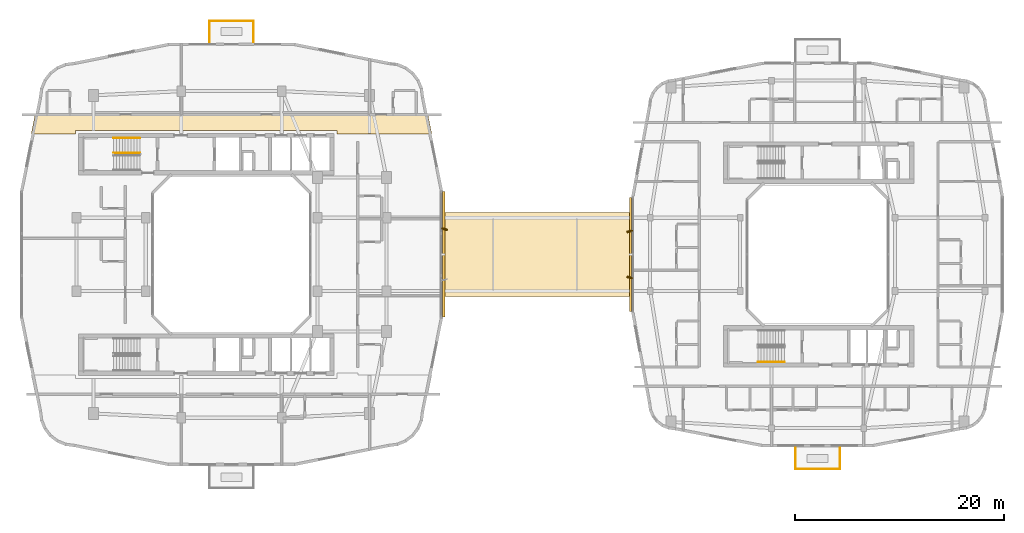
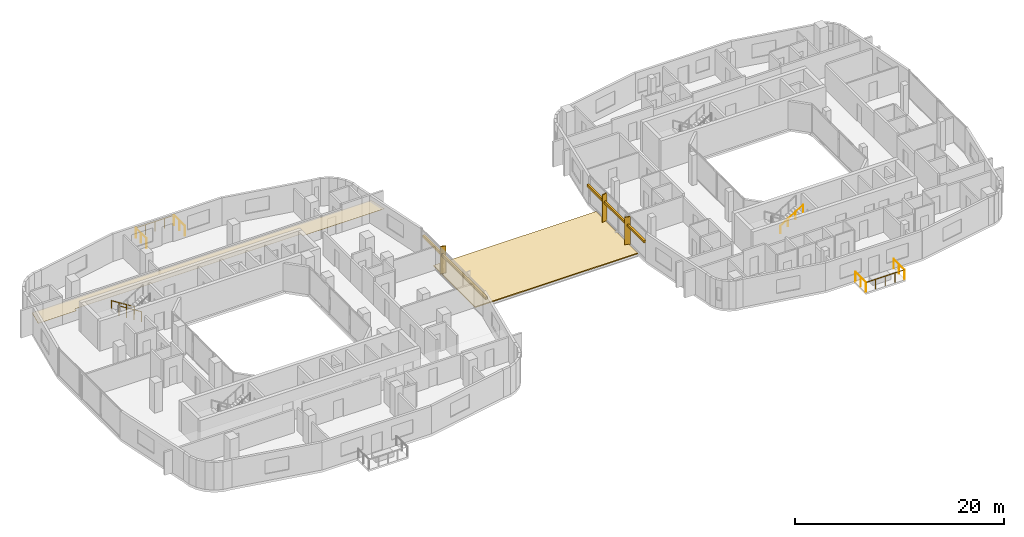
# One storey, part 21 of 22: 9 railings, 5 shading devices, 2 coverings.
"""IFC4 building model written with IfcOpenShell, lengths in metres."""

from ifc_helpers import new_model, si_unit, derived_unit, direction, frame, origin, origin_2d, place, context, subcontext, project, spatial, polyline, rectangle, circle, outline, extrude, material, layer, layer_set, type_object, element, save


model = new_model("IFC4")

# Units and contexts
model_context = context("Model", 3, precision=1e-05, world=origin(), true_north=direction((0.0, 1.0)))
body_context = subcontext(model_context, "Body", "Model", "MODEL_VIEW")
ifc_project = project(units=[si_unit("LENGTHUNIT", "METRE"), si_unit("AREAUNIT", "SQUARE_METRE"), si_unit("VOLUMEUNIT", "CUBIC_METRE"), si_unit("PLANEANGLEUNIT", "RADIAN"), si_unit("MASSUNIT", "GRAM", prefix="KILO"), derived_unit("THERMALTRANSMITTANCEUNIT", [(si_unit("POWERUNIT", "WATT"), 1), (si_unit("LENGTHUNIT", "METRE"), -2), (si_unit("THERMODYNAMICTEMPERATUREUNIT", "KELVIN"), -1)])], contexts=[model_context])

# Site, building, storey
site_placement = place(None, origin())
site = spatial("IfcSite", under=ifc_project, at=site_placement, CompositionType="ELEMENT")
building_placement = place(site_placement, origin())
building = spatial("IfcBuilding", under=site, at=building_placement, Name="Kivonza Crest Hotel", CompositionType="ELEMENT")
storey_placement = place(building_placement, frame((0.0, 0.0, 124.0)))
storey = spatial("IfcBuildingStorey", under=building, at=storey_placement, Name="L33", CompositionType="ELEMENT", Elevation=124.0)

# Coverings
ifc_material_1 = material(Name="Mineral-fibre acoustic ceiling tile", Category="gypsum")
ifc_layer_1 = layer(ifc_material_1, 0.02490234375)
ifc_layer_set_1 = layer_set([ifc_layer_1], Name="Mineral-fibre acoustic ceiling tile")
covering_type_1 = type_object("IfcCoveringType", Name="CV-CEIL-ACOU", PredefinedType="CEILING", material=ifc_layer_set_1)
covering_1_placement = place(storey_placement, frame((0.0, 0.0, 2.449951171875)))
element("IfcCovering", 1, at=covering_1_placement, inside=storey, type_object=covering_type_1, Name="L33 Hotel North Guest Corridor suspended ceiling", PredefinedType="CEILING", context=body_context, shape_type="SweptSolid", body=[
    extrude(outline(polyline([(2.235107421875, 38.389892578125), (1.85791015625, 36.52001953125), (6.10009765625, 36.52001953125), (6.10009765625, 36.860107421875), (31.10009765625, 36.860107421875), (31.10009765625, 36.52001953125), (40.14208984375, 36.52001953125), (39.764892578125, 38.389892578125), (2.235107421875, 38.389892578125)])), origin(), (0.0, 0.0, 1.0), 0.025146484375),
])
ifc_material_2 = material(Name="TPO waterproofing membrane over rigid mineral insulation", Category="insulation")
ifc_layer_2 = layer(ifc_material_2, 0.1201171875)
ifc_layer_set_2 = layer_set([ifc_layer_2], Name="TPO waterproofing membrane over rigid mineral insulation")
covering_type_2 = type_object("IfcCoveringType", Name="CV-ROOF-160", PredefinedType="ROOFING", material=ifc_layer_set_2)
covering_2_placement = place(storey_placement, frame((0.0, 0.0, -0.070068359375)))
element("IfcCovering", 2, at=covering_2_placement, inside=storey, type_object=covering_type_2, Name="Skybridge BR1 waterproofing membrane", PredefinedType="ROOFING", context=body_context, shape_type="SweptSolid", body=[
    extrude(outline(polyline([(41.199951171875, 21.0), (59.179931640625, 21.0), (59.179931640625, 29.0), (41.199951171875, 29.0), (41.199951171875, 21.0)])), origin(), (0.0, 0.0, 1.0), 0.1201171875),
])

# Railings
ifc_material_3 = material(Name="Brushed stainless steel handrail", Category="steel")
railing_type_1 = type_object("IfcRailingType", Name="RL-HAND-900", PredefinedType="HANDRAIL", material=ifc_material_3)
railing_1_placement = place(storey_placement, frame((12.239990234375, 36.110107421875, 0.175048828125)))
element("IfcRailing", 3, at=railing_1_placement, inside=storey, type_object=railing_type_1, Name="L33 ST-T1-N stair handrail 1", PredefinedType="HANDRAIL", context=body_context, shape_type="SweptSolid", body=[
    extrude(circle(Radius=0.02392578125, at=origin_2d()), frame((0.0, 0.0, 0.8759765625), z_axis=(-0.848007534815, 0.0, 0.529984170421), x_axis=(0.0, -1.0, 0.0)), (0.0, 0.0, 1.0), 2.9716796875),
    extrude(circle(Radius=0.02099609375, at=origin_2d()), origin(), (0.0, 0.0, 1.0), 0.851806640625),
    extrude(circle(Radius=0.02099609375, at=origin_2d()), frame((-0.840087890625, 0.0, 0.52490234375)), (0.0, 0.0, 1.0), 0.851806640625),
    extrude(circle(Radius=0.02099609375, at=origin_2d()), frame((-1.679931640625, 0.0, 1.050048828125)), (0.0, 0.0, 1.0), 0.851806640625),
    extrude(circle(Radius=0.02099609375, at=origin_2d()), frame((-2.52001953125, 0.0, 1.574951171875)), (0.0, 0.0, 1.0), 0.851806640625),
])
railing_2_placement = place(storey_placement, frame((71.320068359375, 14.7099609375, 1.925048828125)))
element("IfcRailing", 4, at=railing_2_placement, inside=storey, type_object=railing_type_1, Name="L33 ST-T2-S stair handrail 2", PredefinedType="HANDRAIL", context=body_context, shape_type="SweptSolid", body=[
    extrude(circle(Radius=0.02392578125, at=origin_2d()), frame((0.0, 0.0, 0.8759765625), z_axis=(0.848007534815, 0.0, 0.529984170421), x_axis=(0.0, 1.0, 0.0)), (0.0, 0.0, 1.0), 2.9716796875),
    extrude(circle(Radius=0.02099609375, at=origin_2d()), origin(), (0.0, 0.0, 1.0), 0.851806640625),
    extrude(circle(Radius=0.02099609375, at=origin_2d()), frame((0.840087890625, 0.0, 0.52490234375)), (0.0, 0.0, 1.0), 0.851806640625),
    extrude(circle(Radius=0.02099609375, at=origin_2d()), frame((1.679931640625, 0.0, 1.050048828125)), (0.0, 0.0, 1.0), 0.851806640625),
    extrude(circle(Radius=0.02099609375, at=origin_2d()), frame((2.52001953125, 0.0, 1.574951171875)), (0.0, 0.0, 1.0), 0.851806640625),
])
ifc_material_4 = material(Name="Painted steel balustrade", Category="steel")
railing_type_2 = type_object("IfcRailingType", Name="RL-STAIR-1150", PredefinedType="BALUSTRADE", material=ifc_material_4)
railing_3_placement = place(storey_placement, frame((12.239990234375, 34.7099609375, 0.175048828125)))
element("IfcRailing", 5, at=railing_3_placement, inside=storey, type_object=railing_type_2, Name="L33 ST-T1-N stair guard 1", PredefinedType="BALUSTRADE", context=body_context, shape_type="SweptSolid", body=[
    extrude(circle(Radius=0.02392578125, at=origin_2d()), frame((0.0, 0.0, 1.1259765625), z_axis=(-0.848007534815, 0.0, 0.529984170421), x_axis=(0.0, -1.0, 0.0)), (0.0, 0.0, 1.0), 2.9716796875),
    extrude(circle(Radius=0.02099609375, at=origin_2d()), origin(), (0.0, 0.0, 1.0), 1.101806640625),
    extrude(circle(Radius=0.02099609375, at=origin_2d()), frame((-0.840087890625, 0.0, 0.52490234375)), (0.0, 0.0, 1.0), 1.101806640625),
    extrude(circle(Radius=0.02099609375, at=origin_2d()), frame((-1.679931640625, 0.0, 1.050048828125)), (0.0, 0.0, 1.0), 1.101806640625),
    extrude(circle(Radius=0.02099609375, at=origin_2d()), frame((-2.52001953125, 0.0, 1.574951171875)), (0.0, 0.0, 1.0), 1.101806640625),
])
ifc_material_5 = material(Name="Laminated glass and stainless steel balustrade", Category="steel")
railing_type_3 = type_object("IfcRailingType", Name="RL-TERR-1150", PredefinedType="BALUSTRADE", material=ifc_material_5)
railing_4_placement = place(storey_placement, frame((18.8798828125, 45.280029296875, 0.0)))
element("IfcRailing", 6, at=railing_4_placement, inside=storey, type_object=railing_type_3, Name="L33 T1-L33-SG-NE perimeter safety balustrade 1", PredefinedType="BALUSTRADE", context=body_context, shape_type="SweptSolid", body=[
    extrude(circle(Radius=0.02392578125, at=origin_2d()), frame((0.0, 0.0, 1.1259765625), z_axis=(0.0, 1.0, 0.0), x_axis=(-1.0, 0.0, 0.0)), (0.0, 0.0, 1.0), 2.0400390625),
    extrude(circle(Radius=0.02099609375, at=origin_2d()), origin(), (0.0, 0.0, 1.0), 1.101806640625),
    extrude(circle(Radius=0.02099609375, at=origin_2d()), frame((0.0, 1.02001953125, 0.0)), (0.0, 0.0, 1.0), 1.101806640625),
    extrude(circle(Radius=0.02099609375, at=origin_2d()), frame((0.0, 2.0400390625, 0.0)), (0.0, 0.0, 1.0), 1.101806640625),
])
railing_5_placement = place(storey_placement, frame((18.8798828125, 47.320068359375, 0.0)))
element("IfcRailing", 7, at=railing_5_placement, inside=storey, type_object=railing_type_3, Name="L33 T1-L33-SG-NE perimeter safety balustrade 2", PredefinedType="BALUSTRADE", context=body_context, shape_type="SweptSolid", body=[
    extrude(circle(Radius=0.02392578125, at=origin_2d()), frame((0.0, 0.0, 1.1259765625), z_axis=(1.0, 0.0, 0.0), x_axis=(0.0, 1.0, 0.0)), (0.0, 0.0, 1.0), 4.240234375),
    extrude(circle(Radius=0.02099609375, at=origin_2d()), origin(), (0.0, 0.0, 1.0), 1.101806640625),
    extrude(circle(Radius=0.02099609375, at=origin_2d()), frame((1.06005859375, 0.0, 0.0)), (0.0, 0.0, 1.0), 1.101806640625),
    extrude(circle(Radius=0.02099609375, at=origin_2d()), frame((2.1201171875, 0.0, 0.0)), (0.0, 0.0, 1.0), 1.101806640625),
    extrude(circle(Radius=0.02099609375, at=origin_2d()), frame((3.18017578125, 0.0, 0.0)), (0.0, 0.0, 1.0), 1.101806640625),
    extrude(circle(Radius=0.02099609375, at=origin_2d()), frame((4.240234375, 0.0, 0.0)), (0.0, 0.0, 1.0), 1.101806640625),
])
railing_6_placement = place(storey_placement, frame((23.1201171875, 47.320068359375, 0.0)))
element("IfcRailing", 8, at=railing_6_placement, inside=storey, type_object=railing_type_3, Name="L33 T1-L33-SG-NE perimeter safety balustrade 3", PredefinedType="BALUSTRADE", context=body_context, shape_type="SweptSolid", body=[
    extrude(circle(Radius=0.02392578125, at=origin_2d()), frame((0.0, 0.0, 1.1259765625), z_axis=(0.0, -1.0, 0.0), x_axis=(1.0, 0.0, 0.0)), (0.0, 0.0, 1.0), 2.0400390625),
    extrude(circle(Radius=0.02099609375, at=origin_2d()), origin(), (0.0, 0.0, 1.0), 1.101806640625),
    extrude(circle(Radius=0.02099609375, at=origin_2d()), frame((0.0, -1.02001953125, 0.0)), (0.0, 0.0, 1.0), 1.101806640625),
    extrude(circle(Radius=0.02099609375, at=origin_2d()), frame((0.0, -2.0400390625, 0.0)), (0.0, 0.0, 1.0), 1.101806640625),
])
railing_7_placement = place(storey_placement, frame((74.8798828125, 4.47998046875, 0.0)))
element("IfcRailing", 9, at=railing_7_placement, inside=storey, type_object=railing_type_3, Name="L33 T2-L33-SG-SW perimeter safety balustrade 1", PredefinedType="BALUSTRADE", context=body_context, shape_type="SweptSolid", body=[
    extrude(circle(Radius=0.02392578125, at=origin_2d()), frame((0.0, 0.0, 1.1259765625), z_axis=(0.0, 1.0, 0.0), x_axis=(-1.0, 0.0, 0.0)), (0.0, 0.0, 1.0), 2.0400390625),
    extrude(circle(Radius=0.02099609375, at=origin_2d()), origin(), (0.0, 0.0, 1.0), 1.101806640625),
    extrude(circle(Radius=0.02099609375, at=origin_2d()), frame((0.0, 1.02001953125, 0.0)), (0.0, 0.0, 1.0), 1.101806640625),
    extrude(circle(Radius=0.02099609375, at=origin_2d()), frame((0.0, 2.0400390625, 0.0)), (0.0, 0.0, 1.0), 1.101806640625),
])
railing_8_placement = place(storey_placement, frame((79.1201171875, 6.52001953125, 0.0)))
element("IfcRailing", 10, at=railing_8_placement, inside=storey, type_object=railing_type_3, Name="L33 T2-L33-SG-SW perimeter safety balustrade 2", PredefinedType="BALUSTRADE", context=body_context, shape_type="SweptSolid", body=[
    extrude(circle(Radius=0.02392578125, at=origin_2d()), frame((0.0, 0.0, 1.1259765625), z_axis=(0.0, -1.0, 0.0), x_axis=(1.0, 0.0, 0.0)), (0.0, 0.0, 1.0), 2.0400390625),
    extrude(circle(Radius=0.02099609375, at=origin_2d()), origin(), (0.0, 0.0, 1.0), 1.101806640625),
    extrude(circle(Radius=0.02099609375, at=origin_2d()), frame((0.0, -1.02001953125, 0.0)), (0.0, 0.0, 1.0), 1.101806640625),
    extrude(circle(Radius=0.02099609375, at=origin_2d()), frame((0.0, -2.0400390625, 0.0)), (0.0, 0.0, 1.0), 1.101806640625),
])
railing_9_placement = place(storey_placement, frame((79.1201171875, 4.47998046875, 0.0)))
element("IfcRailing", 11, at=railing_9_placement, inside=storey, type_object=railing_type_3, Name="L33 T2-L33-SG-SW perimeter safety balustrade 3", PredefinedType="BALUSTRADE", context=body_context, shape_type="SweptSolid", body=[
    extrude(circle(Radius=0.02392578125, at=origin_2d()), frame((0.0, 0.0, 1.1259765625), z_axis=(-1.0, 0.0, 0.0), x_axis=(0.0, -1.0, 0.0)), (0.0, 0.0, 1.0), 4.240234375),
    extrude(circle(Radius=0.02099609375, at=origin_2d()), origin(), (0.0, 0.0, 1.0), 1.101806640625),
    extrude(circle(Radius=0.02099609375, at=origin_2d()), frame((-1.06005859375, 0.0, 0.0)), (0.0, 0.0, 1.0), 1.101806640625),
    extrude(circle(Radius=0.02099609375, at=origin_2d()), frame((-2.1201171875, 0.0, 0.0)), (0.0, 0.0, 1.0), 1.101806640625),
    extrude(circle(Radius=0.02099609375, at=origin_2d()), frame((-3.18017578125, 0.0, 0.0)), (0.0, 0.0, 1.0), 1.101806640625),
    extrude(circle(Radius=0.02099609375, at=origin_2d()), frame((-4.240234375, 0.0, 0.0)), (0.0, 0.0, 1.0), 1.101806640625),
])

# Shading devices
ifc_material_6 = material(Name="Kiln-fired Nairobi red-ochre terracotta", Category="masonry")
shading_device_type_1 = type_object("IfcShadingDeviceType", Name="SH-BAGUETTE-300", PredefinedType="USERDEFINED", material=ifc_material_6)
shading_device_1_placement = place(storey_placement, frame((41.280029296875, 25.0, 2.1240234375), z_axis=(0.0, 0.0, 1.0), x_axis=(0.0, 1.0, 0.0)))
element("IfcShadingDevice", 12, at=shading_device_1_placement, inside=storey, type_object=shading_device_type_1, Name="L33 terracotta baguette screen CW-T1-L33-17", ObjectType="BAGUETTE", PredefinedType="USERDEFINED", context=body_context, shape_type="SweptSolid", body=[
    extrude(rectangle(XDim=12.0, YDim=0.219970703125, at=origin_2d()), origin(), (0.0, 0.0, 1.0), 0.260009765625),
])
shading_device_2_placement = place(storey_placement, frame((59.1201171875, 25.0, 2.14501953125), z_axis=(0.0, 0.0, 1.0), x_axis=(0.0, -1.0, 0.0)))
element("IfcShadingDevice", 13, at=shading_device_2_placement, inside=storey, type_object=shading_device_type_1, Name="L33 terracotta baguette screen CW-T2-L33-35", ObjectType="BAGUETTE", PredefinedType="USERDEFINED", context=body_context, shape_type="SweptSolid", body=[
    extrude(rectangle(XDim=10.919921875, YDim=0.219970703125, at=origin_2d()), origin(), (0.0, 0.0, 1.0), 0.260009765625),
])
ifc_material_7 = material(Name="Kiln-fired terracotta over extruded aluminium spine", Category="masonry")
shading_device_type_2 = type_object("IfcShadingDeviceType", Name="SH-FIN-550", PredefinedType="USERDEFINED", material=ifc_material_7)
shading_device_3_placement = place(storey_placement, frame((41.340087890625, 27.424072265625, 0.0), z_axis=(0.0, 0.0, 1.0), x_axis=(0.2419218956, 0.970295726276, 0.0)))
element("IfcShadingDevice", 14, at=shading_device_3_placement, inside=storey, type_object=shading_device_type_2, Name="L33 vertical solar shading fin CW-T1-L33-17-2", ObjectType="FIN", PredefinedType="USERDEFINED", context=body_context, shape_type="SweptSolid", body=[
    extrude(rectangle(XDim=0.1201171875, YDim=0.550048828125, at=origin_2d()), origin(), (0.0, 0.0, 1.0), 3.219970703125),
])
for number, where, z_axis, x_axis, name in (
    (15, (59.06005859375, 27.2080078125, 0.0), (0.0, 0.0, 1.0), (0.2419218956, -0.970295726276, 0.0), "L33 vertical solar shading fin CW-T2-L33-35-1"),
    (16, (59.06005859375, 22.7919921875, 0.0), (0.0, 0.0, 1.0), (-0.2419218956, -0.970295726276, 0.0), "L33 vertical solar shading fin CW-T2-L33-35-2"),
):
    element("IfcShadingDevice", number, at=place(storey_placement, frame(where, z_axis=z_axis, x_axis=x_axis)), inside=storey, type_object=shading_device_type_2, Name=name, ObjectType="FIN", PredefinedType="USERDEFINED", context=body_context, shape_type="SweptSolid", body=[
        extrude(rectangle(XDim=0.1201171875, YDim=0.550048828125, at=origin_2d()), origin(), (0.0, 0.0, 1.0), 3.25),
    ])

save(model, "model.ifc")
